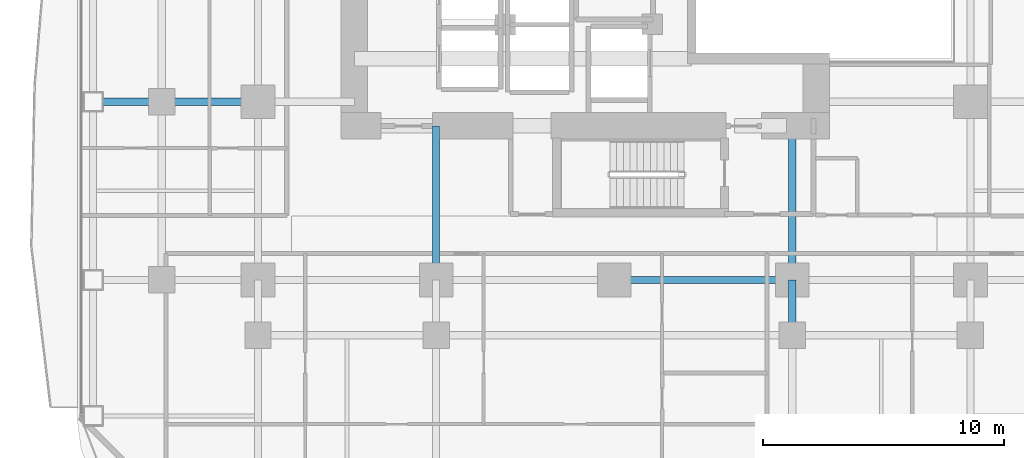
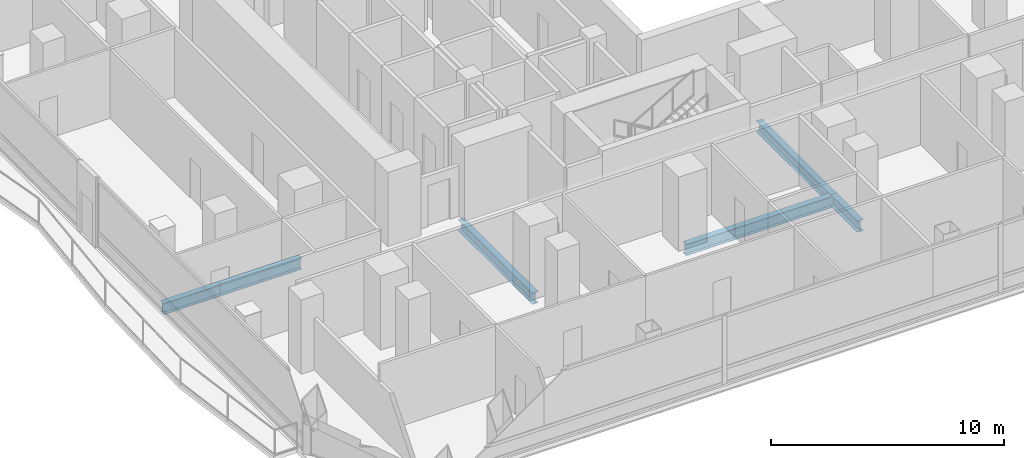
# One storey, part 5 of 27: 6 beams.
"""IFC4 building model written with IfcOpenShell, lengths in metres."""

from ifc_helpers import new_model, si_unit, direction, frame, origin, origin_2d, place, context, subcontext, project, spatial, i_section, extrude, material, material_profile, profile_set, type_object, element, save


model = new_model("IFC4")

# Units and contexts
model_context = context("Model", 3, precision=1e-05, world=origin(), true_north=direction((0.0, 1.0)))
body_context = subcontext(model_context, "Body", "Model", "MODEL_VIEW")
ifc_project = project(units=[si_unit("LENGTHUNIT", "METRE"), si_unit("AREAUNIT", "SQUARE_METRE"), si_unit("VOLUMEUNIT", "CUBIC_METRE"), si_unit("PLANEANGLEUNIT", "RADIAN"), si_unit("MASSUNIT", "GRAM", prefix="KILO")], contexts=[model_context])

# Site, building, storey
site_placement = place(None, origin())
site = spatial("IfcSite", under=ifc_project, at=site_placement, CompositionType="ELEMENT")
building_placement = place(site_placement, origin())
building = spatial("IfcBuilding", under=site, at=building_placement, Name="Khorvyn Point Tower", CompositionType="ELEMENT")
storey_placement = place(building_placement, frame((0.0, 0.0, 50.10009765625)))
storey = spatial("IfcBuildingStorey", under=building, at=storey_placement, Name="L13", CompositionType="ELEMENT", Elevation=50.10009765625)

# Beams
ifc_material = material(Name="Steel S355", Category="steel")
ifc_material_profile = material_profile(ifc_material, i_section(OverallWidth=0.300048828125, OverallDepth=0.587890625, WebThickness=0.011962890625, FlangeThickness=0.02001953125, at=origin_2d()))
ifc_profile_set = profile_set([ifc_material_profile], Name="Steel S355 H588x300x12x20")
beam_type = type_object("IfcBeamType", Name="Steel S355 Beam H588x300x12x20", PredefinedType="BEAM", material=ifc_profile_set)
beam_1_placement = place(storey_placement, frame((0.0, -14.800048828125, -0.51416015625), z_axis=(1.0, 0.0, 0.0), x_axis=(0.0, 1.0, 0.0)))
element("IfcBeam", 1, at=beam_1_placement, inside=storey, type_object=beam_type, Name="Beam", PredefinedType="BEAM", context=body_context, shape_type="SweptSolid", body=[
    extrude(i_section(OverallWidth=0.300048828125, OverallDepth=0.587890625, WebThickness=0.011962890625, FlangeThickness=0.02001953125, at=origin_2d()), origin(), (0.0, 0.0, 1.0), 7.39990234375),
])
beam_2_placement = place(storey_placement, frame((-21.64990234375, -7.39990234375, -0.51416015625), z_axis=(1.0, 0.0, 0.0), x_axis=(0.0, 1.0, 0.0)))
element("IfcBeam", 2, at=beam_2_placement, inside=storey, type_object=beam_type, Name="Beam", PredefinedType="BEAM", context=body_context, shape_type="SweptSolid", body=[
    extrude(i_section(OverallWidth=0.300048828125, OverallDepth=0.587890625, WebThickness=0.011962890625, FlangeThickness=0.02001953125, at=origin_2d()), origin(), (0.0, 0.0, 1.0), 2.849853515625),
])
beam_3_placement = place(storey_placement, frame((-18.800048828125, -7.39990234375, -0.51416015625), z_axis=(1.0, 0.0, 0.0), x_axis=(0.0, 1.0, 0.0)))
element("IfcBeam", 3, at=beam_3_placement, inside=storey, type_object=beam_type, Name="Beam", PredefinedType="BEAM", context=body_context, shape_type="SweptSolid", body=[
    extrude(i_section(OverallWidth=0.300048828125, OverallDepth=0.587890625, WebThickness=0.011962890625, FlangeThickness=0.02001953125, at=origin_2d()), origin(), (0.0, 0.0, 1.0), 4.0),
])
beam_4_placement = place(storey_placement, frame((-7.39990234375, -14.800048828125, -0.51416015625), z_axis=(0.0, 1.0, 0.0), x_axis=(-1.0, 0.0, 0.0)))
element("IfcBeam", 4, at=beam_4_placement, inside=storey, type_object=beam_type, Name="Beam", PredefinedType="BEAM", context=body_context, shape_type="SweptSolid", body=[
    extrude(i_section(OverallWidth=0.300048828125, OverallDepth=0.587890625, WebThickness=0.011962890625, FlangeThickness=0.02001953125, at=origin_2d()), origin(), (0.0, 0.0, 1.0), 6.400146484375),
])
beam_5_placement = place(storey_placement, frame((7.39990234375, -17.10009765625, -0.51416015625), z_axis=(0.0, 1.0, 0.0), x_axis=(-1.0, 0.0, 0.0)))
element("IfcBeam", 5, at=beam_5_placement, inside=storey, type_object=beam_type, Name="Beam", PredefinedType="BEAM", context=body_context, shape_type="SweptSolid", body=[
    extrude(i_section(OverallWidth=0.300048828125, OverallDepth=0.587890625, WebThickness=0.011962890625, FlangeThickness=0.02001953125, at=origin_2d()), origin(), (0.0, 0.0, 1.0), 2.300048828125),
])
beam_6_placement = place(storey_placement, frame((7.39990234375, -14.800048828125, -0.51416015625), z_axis=(0.0, 1.0, 0.0), x_axis=(-1.0, 0.0, 0.0)))
element("IfcBeam", 6, at=beam_6_placement, inside=storey, type_object=beam_type, Name="Beam", PredefinedType="BEAM", context=body_context, shape_type="SweptSolid", body=[
    extrude(i_section(OverallWidth=0.300048828125, OverallDepth=0.587890625, WebThickness=0.011962890625, FlangeThickness=0.02001953125, at=origin_2d()), origin(), (0.0, 0.0, 1.0), 6.400146484375),
])

save(model, "model.ifc")
